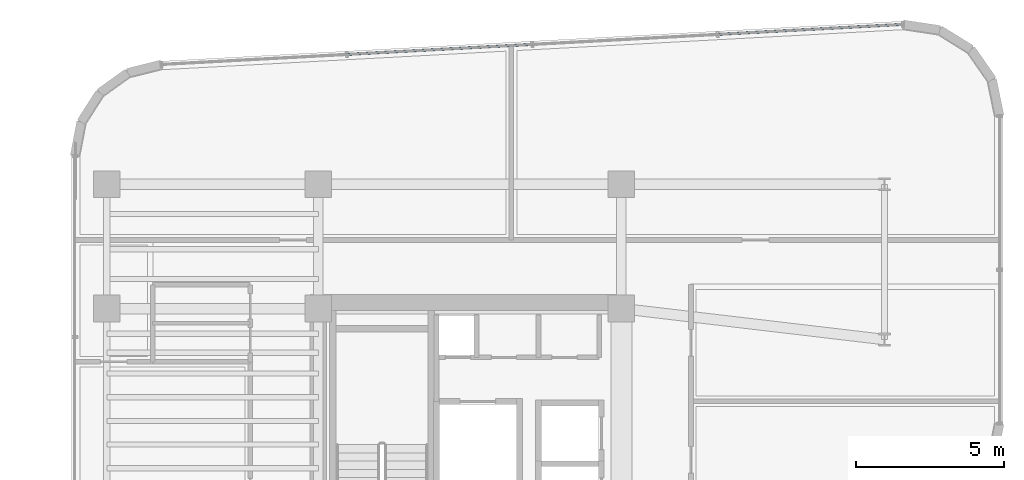
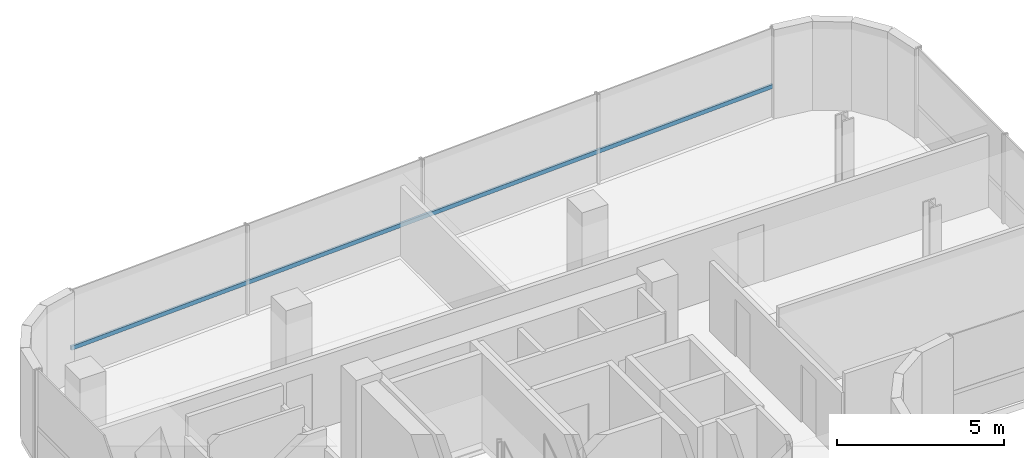
# One storey, part 15 of 22: 1 member, 1 element without a shape of its own.
"""IFC4 building model written with IfcOpenShell, lengths in metres."""

from ifc_helpers import new_model, si_unit, direction, frame, origin, origin_2d, place, context, subcontext, project, spatial, hollow_rectangle, extrude, source, transform, mapped, material, material_profile, profile_set, type_object, element, aggregate, save


model = new_model("IFC4")

# Units and contexts
model_context = context("Model", 3, precision=1e-05, world=origin(), true_north=direction((0.0, 1.0)))
body_context = subcontext(model_context, "Body", "Model", "MODEL_VIEW")
ifc_project = project(units=[si_unit("LENGTHUNIT", "METRE"), si_unit("AREAUNIT", "SQUARE_METRE"), si_unit("VOLUMEUNIT", "CUBIC_METRE"), si_unit("PLANEANGLEUNIT", "RADIAN"), si_unit("MASSUNIT", "GRAM", prefix="KILO")], contexts=[model_context])

# Site, building, storey
site_placement = place(None, origin())
site = spatial("IfcSite", under=ifc_project, at=site_placement, CompositionType="ELEMENT")
building_placement = place(site_placement, origin())
building = spatial("IfcBuilding", under=site, at=building_placement, Name="Valdorenza Pilgrim Sanctuary Tower", CompositionType="ELEMENT")
storey_placement = place(building_placement, frame((0.0, 0.0, 237.0)))
storey = spatial("IfcBuildingStorey", under=building, at=storey_placement, Name="L61", CompositionType="ELEMENT", Elevation=237.0)

# Curtain wall, member
ifc_material_1 = material(Name="Curtain-wall IGU glazing", Category="glass")
curtain_wall_type = type_object("IfcCurtainWallType", Name="CW-SYS-02", PredefinedType="NOTDEFINED", material=ifc_material_1)
curtain_wall_placement = place(storey_placement, origin())
curtain_wall = element("IfcCurtainWall", 1, at=curtain_wall_placement, inside=storey, type_object=curtain_wall_type, Name="L61 Curtain Wall CW-L61-1-6", PredefinedType="NOTDEFINED")
ifc_material_2 = material(Name="Anodised aluminium AW-6060", Category="aluminium")
ifc_material_profile = material_profile(ifc_material_2, hollow_rectangle(XDim=0.074951171875, YDim=0.14990234375, WallThickness=0.00390625, at=origin_2d()), Name="ALU-T 150x75x4")
ifc_profile_set = profile_set([ifc_material_profile], Name="Anodised aluminium AW-6060")
member_type = type_object("IfcMemberType", Name="CW-TRN-02", PredefinedType="USERDEFINED", material=ifc_profile_set)
shared_shape = source(origin(), body_context, "Body", "SweptSolid", [
    extrude(hollow_rectangle(XDim=0.074951171875, YDim=0.14990234375, WallThickness=0.00390625, at=origin_2d()), origin(), (0.0, 0.0, 1.0), 25.114990234375),
])
member_placement = place(storey_placement, frame((-27.9560546875, 18.85400390625, 1.1201171875), z_axis=(0.998546716184, 0.053893001378, 0.0), x_axis=(-0.053893001378, 0.998546716184, 0.0)))
member = element("IfcMember", 2, at=member_placement, type_object=member_type, Name="CW-L61-1-6 Transom 1", ObjectType="TRANSOM", PredefinedType="USERDEFINED", context=body_context, shape_type="MappedRepresentation", body=[
    mapped(shared_shape, transform((0.0, 0.0, 0.0), x_axis=(1.0, 0.0, 0.0), y_axis=(0.0, 1.0, 0.0), z_axis=(0.0, 0.0, 1.0), scale=1.0)),
])
aggregate(curtain_wall, [member])

save(model, "model.ifc")
